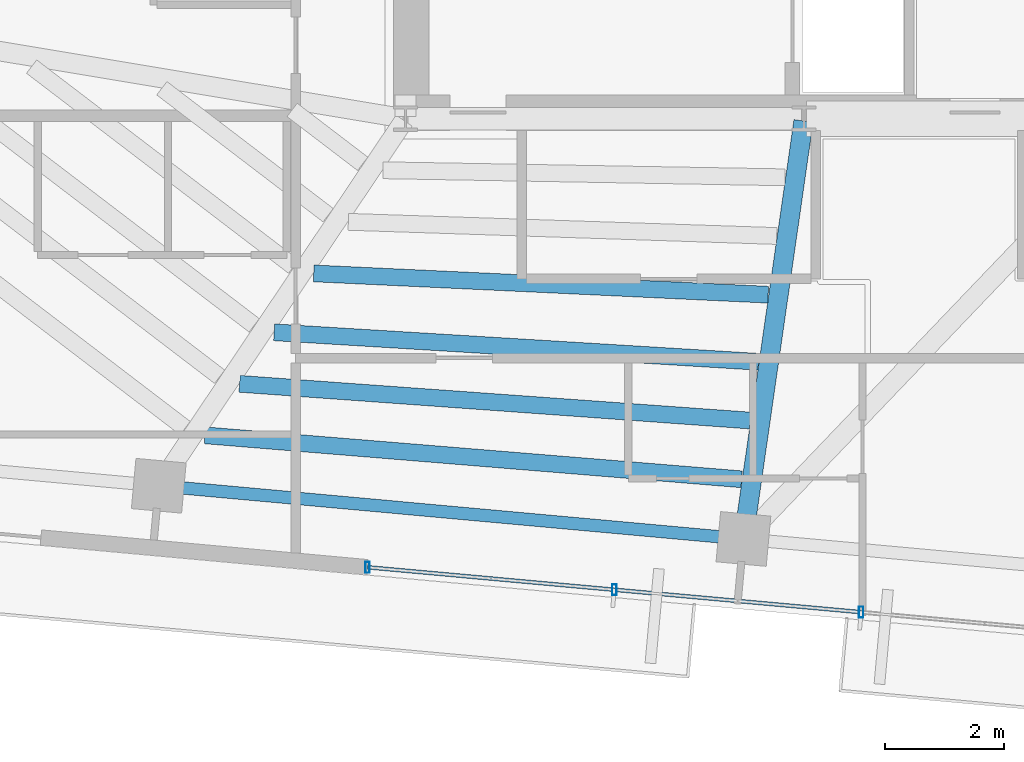
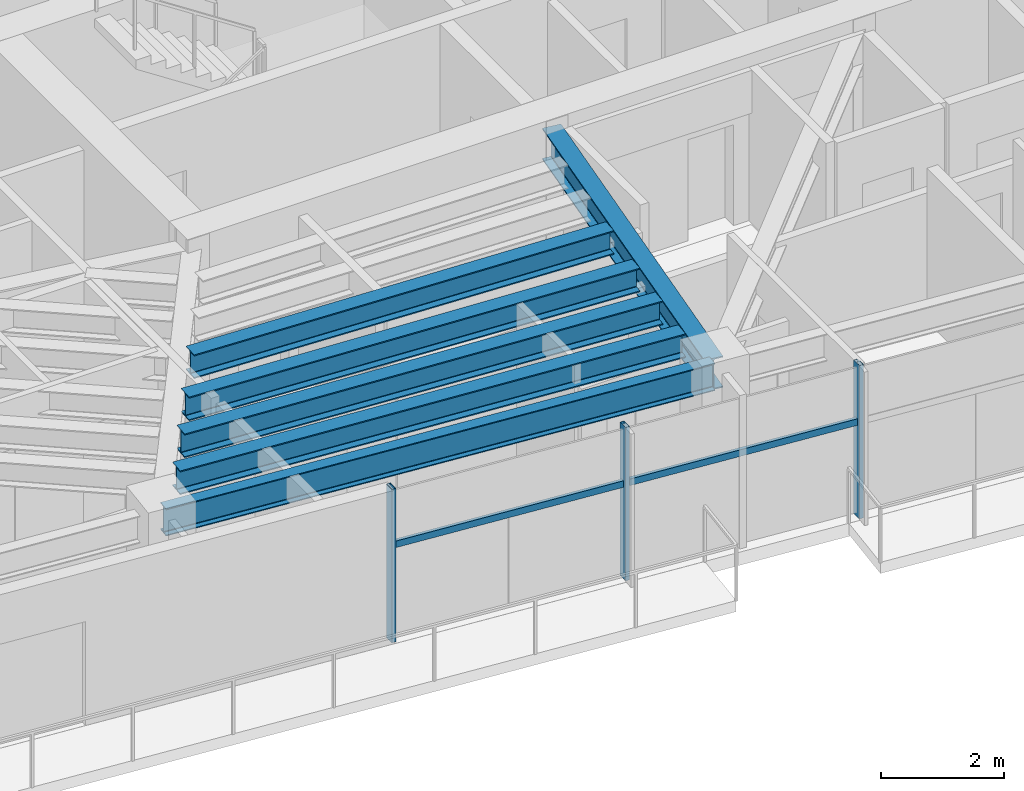
# One storey, part 6 of 22: 6 beams, 5 members, 1 element without a shape of its own.
"""IFC4 building model written with IfcOpenShell, lengths in metres."""

from ifc_helpers import new_model, si_unit, direction, frame, origin, origin_2d, place, context, subcontext, project, spatial, hollow_rectangle, i_section, extrude, source, transform, mapped, material, material_profile, profile_set, type_object, type_shapes, element, aggregate, save


model = new_model("IFC4")

# Units and contexts
model_context = context("Model", 3, precision=1e-05, world=origin(), true_north=direction((0.0, 1.0)))
body_context = subcontext(model_context, "Body", "Model", "MODEL_VIEW")
ifc_project = project(units=[si_unit("LENGTHUNIT", "METRE"), si_unit("AREAUNIT", "SQUARE_METRE"), si_unit("VOLUMEUNIT", "CUBIC_METRE"), si_unit("PLANEANGLEUNIT", "RADIAN"), si_unit("MASSUNIT", "GRAM", prefix="KILO")], contexts=[model_context])

# Site, building, storey
site_placement = place(None, origin())
site = spatial("IfcSite", under=ifc_project, at=site_placement, CompositionType="ELEMENT")
building_placement = place(site_placement, origin())
building = spatial("IfcBuilding", under=site, at=building_placement, Name="Astriad Promenade Condominiums", CompositionType="ELEMENT")
storey_placement = place(building_placement, frame((0.0, 0.0, 229.800048828125)))
storey = spatial("IfcBuildingStorey", under=building, at=storey_placement, Name="L66", CompositionType="ELEMENT", Elevation=229.800048828125)

# Beams
ifc_material_1 = material(Name="Steel ASTM A992 Grade 50", Category="steel")
ifc_material_profile_1 = material_profile(ifc_material_1, i_section(OverallWidth=0.210693359375, OverallDepth=0.53955078125, WebThickness=0.01171875, FlangeThickness=0.018798828125, FilletRadius=0.0166015625, at=origin_2d()), Name="W21X73")
ifc_profile_set_1 = profile_set([ifc_material_profile_1], Name="Steel ASTM A992 Grade 50")
beam_type_1 = type_object("IfcBeamType", Name="STEEL SPANDREL BEAM W21X73", PredefinedType="SPANDREL", material=ifc_profile_set_1)
shared_shape_1 = source(origin(), body_context, "Body", "SweptSolid", [
    extrude(i_section(OverallWidth=0.210693359375, OverallDepth=0.53955078125, WebThickness=0.01171875, FlangeThickness=0.018798828125, FilletRadius=0.0166015625, at=origin_2d()), origin(), (0.0, 0.0, 1.0), 9.81982421875),
])
type_shapes(beam_type_1, [shared_shape_1])
beam_1_placement = place(storey_placement, frame((22.281005859375, 11.205322265625, 2.770263671875), z_axis=(0.995885459014, -0.090620927631, 0.0), x_axis=(0.090620927631, 0.995885459014, 0.0)))
element("IfcBeam", 1, at=beam_1_placement, inside=storey, type_object=beam_type_1, Name="Perimeter Spandrel Beam SP-S2-L66", PredefinedType="SPANDREL", context=body_context, shape_type="MappedRepresentation", body=[
    mapped(shared_shape_1, transform((0.0, 0.0, 0.0), scale=1.0)),
])
ifc_material_profile_2 = material_profile(ifc_material_1, i_section(OverallWidth=0.326416015625, OverallDepth=0.621826171875, WebThickness=0.015380859375, FlangeThickness=0.0244140625, FilletRadius=0.017822265625, at=origin_2d()), Name="W24X131")
ifc_profile_set_2 = profile_set([ifc_material_profile_2], Name="Steel ASTM A992 Grade 50")
beam_type_2 = type_object("IfcBeamType", Name="STEEL FLOOR GIRDER W24X131", PredefinedType="BEAM", material=ifc_profile_set_2)
shared_shape_2 = source(origin(), body_context, "Body", "SweptSolid", [
    extrude(i_section(OverallWidth=0.326416015625, OverallDepth=0.621826171875, WebThickness=0.015380859375, FlangeThickness=0.0244140625, FilletRadius=0.017822265625, at=origin_2d()), origin(), (0.0, 0.0, 1.0), 7.081298828125),
])
type_shapes(beam_type_2, [shared_shape_2])
beam_2_placement = place(storey_placement, frame((32.10595703125, 10.351318359375, 2.72900390625), z_axis=(0.142391481124, 0.989810419274, 0.0), x_axis=(-0.989810419274, 0.142391481124, 0.0)))
element("IfcBeam", 2, at=beam_2_placement, inside=storey, type_object=beam_type_2, Name="Primary Floor Girder PG-C1-L66", PredefinedType="BEAM", context=body_context, shape_type="MappedRepresentation", body=[
    mapped(shared_shape_2, transform((0.0, 0.0, 0.0), scale=1.0)),
])
ifc_material_profile_3 = material_profile(ifc_material_1, i_section(OverallWidth=0.283203125, OverallDepth=0.47216796875, WebThickness=0.013671875, FlangeThickness=0.022216796875, FilletRadius=0.01513671875, at=origin_2d()), Name="W18X97")
ifc_profile_set_3 = profile_set([ifc_material_profile_3], Name="Steel ASTM A992 Grade 50")
beam_type_3 = type_object("IfcBeamType", Name="STEEL FLOOR JOIST W18X97", PredefinedType="JOIST", material=ifc_profile_set_3)
shared_shape_3 = source(origin(), body_context, "Body", "SweptSolid", [
    extrude(i_section(OverallWidth=0.283203125, OverallDepth=0.47216796875, WebThickness=0.013671875, FlangeThickness=0.022216796875, FilletRadius=0.01513671875, at=origin_2d()), origin(), (0.0, 0.0, 1.0), 9.08056640625),
])
beam_3_placement = place(storey_placement, frame((23.019775390625, 12.059814453125, 2.803955078125), z_axis=(0.996660857814, -0.081652522934, 0.0), x_axis=(0.081652522934, 0.996660857814, 0.0)))
element("IfcBeam", 3, at=beam_3_placement, inside=storey, type_object=beam_type_3, Name="Secondary Composite Floor Joist JCW-1-L66", PredefinedType="JOIST", context=body_context, shape_type="MappedRepresentation", body=[
    mapped(shared_shape_3, transform((0.0, 0.0, 0.0), scale=1.0)),
])
shared_shape_4 = source(origin(), body_context, "Body", "SweptSolid", [
    extrude(i_section(OverallWidth=0.283203125, OverallDepth=0.47216796875, WebThickness=0.013671875, FlangeThickness=0.022216796875, FilletRadius=0.01513671875, at=origin_2d()), origin(), (0.0, 0.0, 1.0), 8.631591796875),
])
beam_4_placement = place(storey_placement, frame((23.603271484375, 12.92822265625, 2.803955078125), z_axis=(0.997424124914, -0.071729457259, 0.0), x_axis=(0.071729457259, 0.997424124914, 0.0)))
element("IfcBeam", 4, at=beam_4_placement, inside=storey, type_object=beam_type_3, Name="Secondary Composite Floor Joist JCW-2-L66", PredefinedType="JOIST", context=body_context, shape_type="MappedRepresentation", body=[
    mapped(shared_shape_4, transform((0.0, 0.0, 0.0), scale=1.0)),
])
shared_shape_5 = source(origin(), body_context, "Body", "SweptSolid", [
    extrude(i_section(OverallWidth=0.283203125, OverallDepth=0.47216796875, WebThickness=0.013671875, FlangeThickness=0.022216796875, FilletRadius=0.01513671875, at=origin_2d()), origin(), (0.0, 0.0, 1.0), 8.183349609375),
])
beam_5_placement = place(storey_placement, frame((24.186767578125, 13.797119140625, 2.803955078125), z_axis=(0.998148077796, -0.06083103478, 0.0), x_axis=(0.06083103478, 0.998148077796, 0.0)))
element("IfcBeam", 5, at=beam_5_placement, inside=storey, type_object=beam_type_3, Name="Secondary Composite Floor Joist JCW-3-L66", PredefinedType="JOIST", context=body_context, shape_type="MappedRepresentation", body=[
    mapped(shared_shape_5, transform((0.0, 0.0, 0.0), scale=1.0)),
])
shared_shape_6 = source(origin(), body_context, "Body", "SweptSolid", [
    extrude(i_section(OverallWidth=0.283203125, OverallDepth=0.47216796875, WebThickness=0.013671875, FlangeThickness=0.022216796875, FilletRadius=0.01513671875, at=origin_2d()), origin(), (0.0, 0.0, 1.0), 7.672119140625),
])
type_shapes(beam_type_3, [shared_shape_3, shared_shape_4, shared_shape_5, shared_shape_6])
beam_6_placement = place(storey_placement, frame((24.85400390625, 14.790283203125, 2.803955078125), z_axis=(0.998903848677, -0.04680919886, 0.0), x_axis=(0.04680919886, 0.998903848677, 0.0)))
element("IfcBeam", 6, at=beam_6_placement, inside=storey, type_object=beam_type_3, Name="Secondary Composite Floor Joist JCW-4-L66", PredefinedType="JOIST", context=body_context, shape_type="MappedRepresentation", body=[
    mapped(shared_shape_6, transform((0.0, 0.0, 0.0), scale=1.0)),
])

# Curtain wall, members
ifc_material_2 = material(Name="Anodised aluminium Black Dark Glass Unitised", Category="aluminium")
curtain_wall_type = type_object("IfcCurtainWallType", Name="CW-B5-DARK", PredefinedType="USERDEFINED", material=ifc_material_2)
curtain_wall_placement = place(storey_placement, origin())
curtain_wall = element("IfcCurtainWall", 7, at=curtain_wall_placement, inside=storey, type_object=curtain_wall_type, Name="CW-L66-S", ObjectType="UNITISED_CURTAIN_WALL", PredefinedType="USERDEFINED")
ifc_material_3 = material(Name="Anodised aluminium 6063-T6 Black", Category="aluminium")
ifc_material_profile_4 = material_profile(ifc_material_3, hollow_rectangle(XDim=0.06494140625, YDim=0.1298828125, WallThickness=0.00390625, at=origin_2d()), Name="ALU-TRN-65X130")
ifc_profile_set_4 = profile_set([ifc_material_profile_4], Name="Anodised aluminium 6063-T6 Black")
member_type_1 = type_object("IfcMemberType", Name="TRN-ALU-TRN-65X130", PredefinedType="USERDEFINED", material=ifc_profile_set_4)
shared_shape_7 = source(origin(), body_context, "Body", "SweptSolid", [
    extrude(hollow_rectangle(XDim=0.06494140625, YDim=0.1298828125, WallThickness=0.00390625, at=origin_2d()), origin(), (0.0, 0.0, 1.0), 4.179931640625),
])
type_shapes(member_type_1, [shared_shape_7])
member_1_placement = place(storey_placement, frame((34.086669921875, 9.07666015625, 1.884765625), z_axis=(-0.995883146811, 0.090646334165, 0.0), x_axis=(-0.090646334165, -0.995883146811, 0.0)))
member_1 = element("IfcMember", 8, at=member_1_placement, type_object=member_type_1, Name="CW-L66-S-TRN-01-0", ObjectType="TRANSOM", PredefinedType="USERDEFINED", context=body_context, shape_type="MappedRepresentation", body=[
    mapped(shared_shape_7, transform((0.0, 0.0, 0.0), scale=1.0)),
])
member_2_placement = place(storey_placement, frame((29.923828125, 9.45556640625, 1.884765625), z_axis=(-0.995883146811, 0.090646334165, 0.0), x_axis=(-0.090646334165, -0.995883146811, 0.0)))
member_2 = element("IfcMember", 9, at=member_2_placement, type_object=member_type_1, Name="CW-L66-S-TRN-02-0", ObjectType="TRANSOM", PredefinedType="USERDEFINED", context=body_context, shape_type="MappedRepresentation", body=[
    mapped(shared_shape_7, transform((0.0, 0.0, 0.0), scale=1.0)),
])
ifc_material_profile_5 = material_profile(ifc_material_3, hollow_rectangle(XDim=0.074951171875, YDim=0.18505859375, WallThickness=0.00439453125, at=origin_2d()), Name="ALU-MUL-75X185")
ifc_profile_set_5 = profile_set([ifc_material_profile_5], Name="Anodised aluminium 6063-T6 Black")
member_type_2 = type_object("IfcMemberType", Name="MUL-ALU-MUL-75X185", PredefinedType="MULLION", material=ifc_profile_set_5)
shared_shape_8 = source(origin(), body_context, "Body", "SweptSolid", [
    extrude(hollow_rectangle(XDim=0.074951171875, YDim=0.18505859375, WallThickness=0.00439453125, at=origin_2d()), origin(), (0.0, 0.0, 1.0), 3.0400390625),
])
type_shapes(member_type_2, [shared_shape_8])
member_3_placement = place(storey_placement, frame((34.086669921875, 9.07666015625, 0.0), z_axis=(0.0, 0.0, 1.0), x_axis=(1.0, 0.0, 0.0)))
member_3 = element("IfcMember", 10, at=member_3_placement, type_object=member_type_2, Name="CW-L66-S-MUL-01", PredefinedType="MULLION", context=body_context, shape_type="MappedRepresentation", body=[
    mapped(shared_shape_8, transform((0.0, 0.0, 0.0), scale=1.0)),
])
member_4_placement = place(storey_placement, frame((29.923828125, 9.45556640625, 0.0), z_axis=(0.0, 0.0, 1.0), x_axis=(1.0, 0.0, 0.0)))
member_4 = element("IfcMember", 11, at=member_4_placement, type_object=member_type_2, Name="CW-L66-S-MUL-02", PredefinedType="MULLION", context=body_context, shape_type="MappedRepresentation", body=[
    mapped(shared_shape_8, transform((0.0, 0.0, 0.0), scale=1.0)),
])
member_5_placement = place(storey_placement, frame((25.760986328125, 9.83447265625, 0.0), z_axis=(0.0, 0.0, 1.0), x_axis=(1.0, 0.0, 0.0)))
member_5 = element("IfcMember", 12, at=member_5_placement, type_object=member_type_2, Name="CW-L66-S-MUL-03", PredefinedType="MULLION", context=body_context, shape_type="MappedRepresentation", body=[
    mapped(shared_shape_8, transform((0.0, 0.0, 0.0), scale=1.0)),
])
aggregate(curtain_wall, [member_3, member_4, member_5, member_1, member_2])

save(model, "model.ifc")
